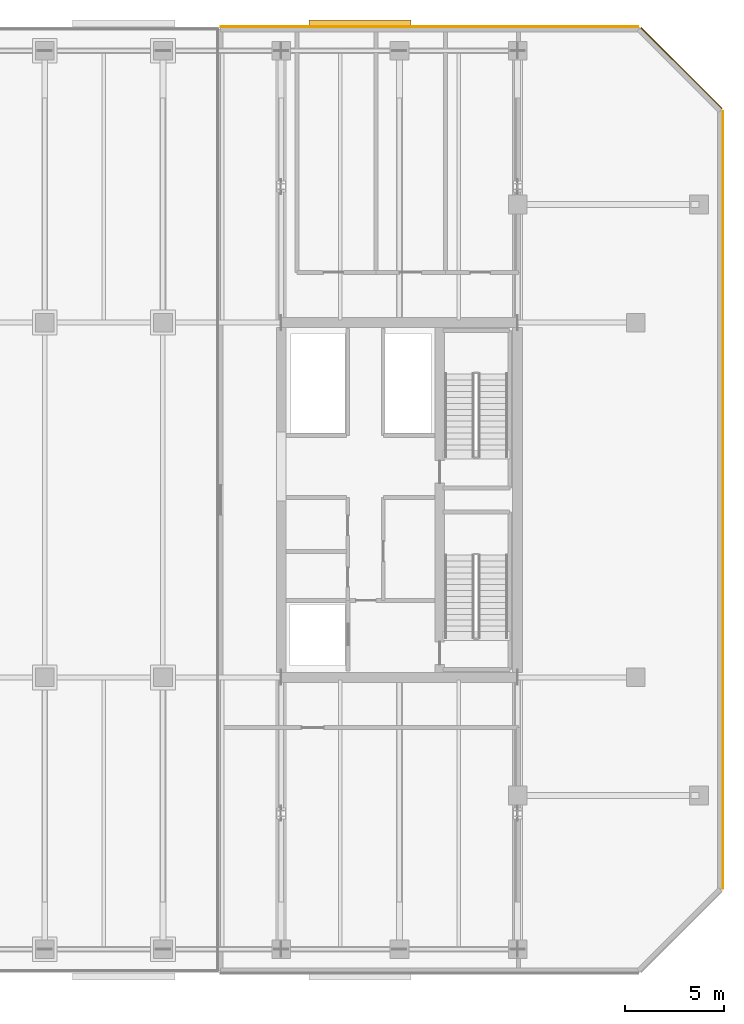
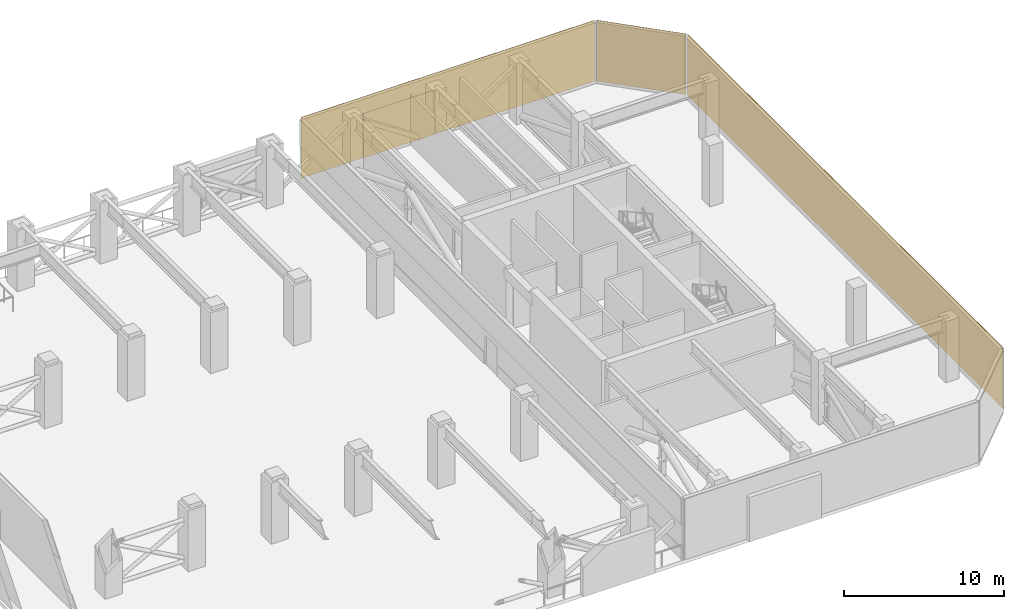
# One storey, part 21 of 21: 3 coverings, 1 shading device.
"""IFC4 building model written with IfcOpenShell, lengths in metres."""

from ifc_helpers import new_model, si_unit, direction, frame, origin, origin_2d, place, context, subcontext, project, spatial, rectangle, extrude, material, layer, layer_set, type_object, element, save


model = new_model("IFC4")

# Units and contexts
model_context = context("Model", 3, precision=1e-05, world=origin(), true_north=direction((0.0, 1.0)))
body_context = subcontext(model_context, "Body", "Model", "MODEL_VIEW")
ifc_project = project(units=[si_unit("LENGTHUNIT", "METRE"), si_unit("AREAUNIT", "SQUARE_METRE"), si_unit("VOLUMEUNIT", "CUBIC_METRE"), si_unit("PLANEANGLEUNIT", "RADIAN"), si_unit("MASSUNIT", "GRAM", prefix="KILO")], contexts=[model_context])

# Site, building, storey
site_placement = place(None, origin())
site = spatial("IfcSite", under=ifc_project, at=site_placement, CompositionType="ELEMENT")
building_placement = place(site_placement, origin())
building = spatial("IfcBuilding", under=site, at=building_placement, Name="Tanjung Sevakor Pilgrim Tower", CompositionType="ELEMENT")
storey_placement = place(building_placement, frame((0.0, 0.0, 123.090087890625)))
storey = spatial("IfcBuildingStorey", under=building, at=storey_placement, Name="L34", CompositionType="ELEMENT", Elevation=123.090087890625)

# Coverings
ifc_material_1 = material(Name="Reconstructed Limestone Cladding", Category="masonry")
ifc_layer = layer(ifc_material_1, 0.044921875)
ifc_layer_set = layer_set([ifc_layer], Name="COV-CLAD-LIMESTONE")
covering_type = type_object("IfcCoveringType", Name="COV-CLAD-LIMESTONE", PredefinedType="CLADDING", material=ifc_layer_set)
covering_1_placement = place(storey_placement, frame((100.422607421875, 33.60009765625, 0.02001953125), z_axis=(0.0, 0.0, 1.0), x_axis=(0.0, 1.0, 0.0)))
element("IfcCovering", 1, at=covering_1_placement, inside=storey, type_object=covering_type, Name="L34 Warm Limestone Wall Cladding EW-RFE-L34-3", PredefinedType="CLADDING", context=body_context, shape_type="SweptSolid", body=[
    extrude(rectangle(XDim=39.456298828125, YDim=0.044921875, at=origin_2d()), origin(), (0.0, 0.0, 1.0), 4.6298828125),
])
covering_2_placement = place(storey_placement, frame((98.31591796875, 55.515869140625, 0.02001953125), z_axis=(0.0, 0.0, 1.0), x_axis=(-0.707106781187, 0.707106781187, 0.0)))
element("IfcCovering", 2, at=covering_2_placement, inside=storey, type_object=covering_type, Name="L34 Warm Limestone Wall Cladding EW-RFE-L34-4", PredefinedType="CLADDING", context=body_context, shape_type="SweptSolid", body=[
    extrude(rectangle(XDim=5.796142578125, YDim=0.044921875, at=origin_2d()), origin(), (0.0, 0.0, 1.0), 4.6298828125),
])
covering_3_placement = place(storey_placement, frame((85.53662109375, 57.62255859375, 0.02001953125), z_axis=(0.0, 0.0, 1.0), x_axis=(-1.0, 0.0, 0.0)))
element("IfcCovering", 3, at=covering_3_placement, inside=storey, type_object=covering_type, Name="L34 Warm Limestone Wall Cladding EW-RFE-L34-5", PredefinedType="CLADDING", context=body_context, shape_type="SweptSolid", body=[
    extrude(rectangle(XDim=21.18310546875, YDim=0.044921875, at=origin_2d()), origin(), (0.0, 0.0, 1.0), 4.6298828125),
])

# Shading device
ifc_material_2 = material(Name="Anodised Bronze Aluminium 6063-T6", Category="aluminium")
shading_device_type = type_object("IfcShadingDeviceType", Name="SHD-LOUVRE-SLOT", PredefinedType="USERDEFINED", material=ifc_material_2)
shading_device_placement = place(storey_placement, frame((82.0, 57.780029296875, 0.0), z_axis=(0.0, 0.0, 1.0), x_axis=(1.0, 0.0, 0.0)))
element("IfcShadingDevice", 4, at=shading_device_placement, inside=storey, type_object=shading_device_type, Name="L34 Plant Wing Acoustic Louvre N-04", ObjectType="LOUVRE", PredefinedType="USERDEFINED", context=body_context, shape_type="SweptSolid", body=[
    extrude(rectangle(XDim=5.199951171875, YDim=0.360107421875, at=origin_2d()), origin(), (0.0, 0.0, 1.0), 3.39990234375),
])

save(model, "model.ifc")
